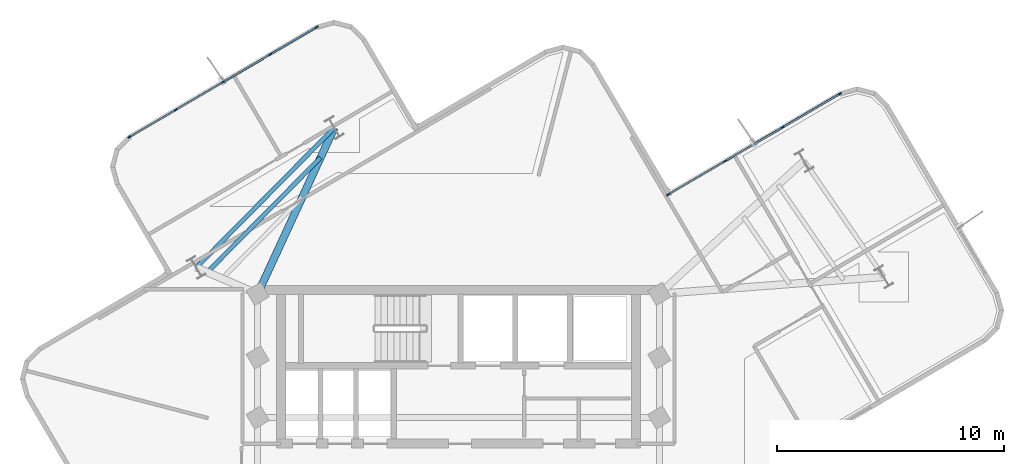
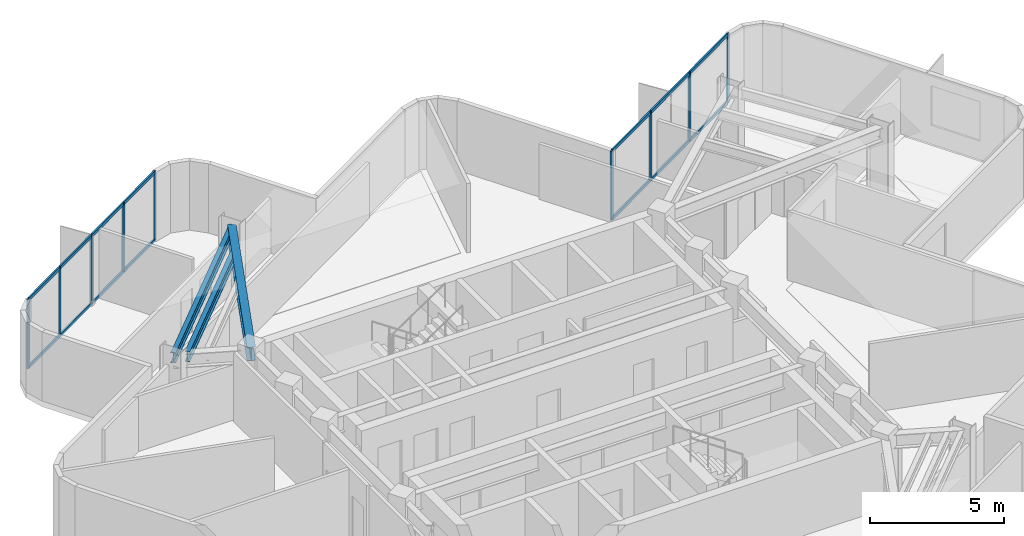
# One storey, part 2 of 8: 23 members, 3 beams, 2 elements without a shape of their own.
"""IFC4 building model written with IfcOpenShell, lengths in metres."""

from ifc_helpers import new_model, si_unit, direction, frame, origin, origin_2d, place, context, subcontext, project, spatial, rectangle, i_section, extrude, material, layer, layer_set, material_profile, profile_set, type_object, element, aggregate, save


model = new_model("IFC4")

# Units and contexts
model_context = context("Model", 3, precision=1e-05, world=origin(), true_north=direction((0.0, 1.0)))
body_context = subcontext(model_context, "Body", "Model", "MODEL_VIEW")
ifc_project = project(units=[si_unit("LENGTHUNIT", "METRE"), si_unit("AREAUNIT", "SQUARE_METRE"), si_unit("VOLUMEUNIT", "CUBIC_METRE"), si_unit("PLANEANGLEUNIT", "RADIAN"), si_unit("MASSUNIT", "GRAM", prefix="KILO")], contexts=[model_context])

# Site, building, storey
site_placement = place(None, origin())
site = spatial("IfcSite", under=ifc_project, at=site_placement, CompositionType="ELEMENT")
building_placement = place(site_placement, origin())
building = spatial("IfcBuilding", under=site, at=building_placement, Name="Solmarez Civic Tower", CompositionType="ELEMENT")
storey_placement = place(building_placement, frame((0.0, 0.0, 212.0400390625)))
storey = spatial("IfcBuildingStorey", under=building, at=storey_placement, Name="L56", CompositionType="ELEMENT", Elevation=212.0400390625)

# Beams
ifc_material_1 = material(Name="Steel S355", Category="steel")
ifc_material_profile_1 = material_profile(ifc_material_1, i_section(OverallWidth=0.19189453125, OverallDepth=0.462890625, WebThickness=0.010498046875, FlangeThickness=0.017578125, at=origin_2d()), Name="W18X60")
ifc_profile_set_1 = profile_set([ifc_material_profile_1], Name="Steel S355")
beam_type_1 = type_object("IfcBeamType", Name="BM-JS-W18X60", PredefinedType="JOIST", material=ifc_profile_set_1)
beam_1_placement = place(storey_placement, frame((-5.468017578125, 15.6708984375, 2.927978515625), z_axis=(-0.702766092364, -0.711420986072, 0.0), x_axis=(0.711420986072, -0.702766092364, 0.0)))
element("IfcBeam", 1, at=beam_1_placement, inside=storey, type_object=beam_type_1, Name="L56 Secondary Floor Joist BM-L56-NA-T1", PredefinedType="JOIST", context=body_context, shape_type="SweptSolid", body=[
    extrude(i_section(OverallWidth=0.19189453125, OverallDepth=0.462890625, WebThickness=0.010498046875, FlangeThickness=0.017578125, at=origin_2d()), origin(), (0.0, 0.0, 1.0), 8.659912109375),
])
beam_2_placement = place(storey_placement, frame((-6.076904296875, 14.35302734375, 2.927978515625), z_axis=(-0.702726827997, -0.711459770622, 0.0), x_axis=(0.711459770622, -0.702726827997, 0.0)))
element("IfcBeam", 2, at=beam_2_placement, inside=storey, type_object=beam_type_1, Name="L56 Secondary Floor Joist JS-L56-NA-M12", PredefinedType="JOIST", context=body_context, shape_type="SweptSolid", body=[
    extrude(i_section(OverallWidth=0.19189453125, OverallDepth=0.462890625, WebThickness=0.010498046875, FlangeThickness=0.017578125, at=origin_2d()), origin(), (0.0, 0.0, 1.0), 7.100830078125),
])
ifc_material_profile_2 = material_profile(ifc_material_1, i_section(OverallWidth=0.327880859375, OverallDepth=0.6220703125, WebThickness=0.015380859375, FlangeThickness=0.0244140625, at=origin_2d()), Name="W24X131")
ifc_profile_set_2 = profile_set([ifc_material_profile_2], Name="Steel S355")
beam_type_2 = type_object("IfcBeamType", Name="BM-PR-W24X131", PredefinedType="BEAM", material=ifc_profile_set_2)
beam_3_placement = place(storey_placement, frame((-8.85009765625, 8.35009765625, 2.848876953125), z_axis=(0.419390280967, 0.907806032273, 0.0), x_axis=(-0.907806032273, 0.419390280967, 0.0)))
element("IfcBeam", 3, at=beam_3_placement, inside=storey, type_object=beam_type_2, Name="L56 Primary Floor Beam BM-L56-NA-R1A", PredefinedType="BEAM", context=body_context, shape_type="SweptSolid", body=[
    extrude(i_section(OverallWidth=0.327880859375, OverallDepth=0.6220703125, WebThickness=0.015380859375, FlangeThickness=0.0244140625, at=origin_2d()), origin(), (0.0, 0.0, 1.0), 8.064208984375),
])

# Curtain wall, members
ifc_material_2 = material(Name="Bronze Anodised Aluminium EN AW-6063 T6", Category="aluminium")
ifc_layer = layer(ifc_material_2, 0.1650390625)
ifc_layer_set = layer_set([ifc_layer], Name="Bronze Anodised Aluminium EN AW-6063 T6")
curtain_wall_type = type_object("IfcCurtainWallType", Name="CW-SYS-4", PredefinedType="NOTDEFINED", material=ifc_layer_set)
curtain_wall_1_placement = place(storey_placement, origin())
curtain_wall_1 = element("IfcCurtainWall", 4, at=curtain_wall_1_placement, inside=storey, type_object=curtain_wall_type, Name="L56 Stick-Built Curtain Wall 1", PredefinedType="NOTDEFINED")
ifc_material_profile_3 = material_profile(ifc_material_2, rectangle(XDim=0.06005859375, YDim=0.14990234375, at=origin_2d()), Name="CWM-60X150")
ifc_profile_set_3 = profile_set([ifc_material_profile_3], Name="Bronze Anodised Aluminium EN AW-6063 T6")
member_type_1 = type_object("IfcMemberType", Name="CWM-TYPE-4", PredefinedType="MULLION", material=ifc_profile_set_3)
member_1_placement = place(storey_placement, frame((-14.498046875, 15.26123046875, 0.0), z_axis=(0.0, 0.0, 1.0), x_axis=(-0.506098089236, 0.862475926662, 0.0)))
member_1 = element("IfcMember", 5, at=member_1_placement, type_object=member_type_1, Name="CWS4 mullion 1", PredefinedType="MULLION", context=body_context, shape_type="SweptSolid", body=[
    extrude(rectangle(XDim=0.06005859375, YDim=0.14990234375, at=origin_2d()), origin(), (0.0, 0.0, 1.0), 3.159912109375),
])
member_2_placement = place(storey_placement, frame((-12.44873046875, 16.4638671875, 0.0), z_axis=(0.0, 0.0, 1.0), x_axis=(-0.506098089236, 0.862475926662, 0.0)))
member_2 = element("IfcMember", 6, at=member_2_placement, type_object=member_type_1, Name="CWS4 mullion 2", PredefinedType="MULLION", context=body_context, shape_type="SweptSolid", body=[
    extrude(rectangle(XDim=0.06005859375, YDim=0.14990234375, at=origin_2d()), origin(), (0.0, 0.0, 1.0), 3.159912109375),
])
member_3_placement = place(storey_placement, frame((-10.37353515625, 17.681396484375, 0.0), z_axis=(0.0, 0.0, 1.0), x_axis=(-0.506098089236, 0.862475926662, 0.0)))
member_3 = element("IfcMember", 7, at=member_3_placement, type_object=member_type_1, Name="CWS4 mullion 3", PredefinedType="MULLION", context=body_context, shape_type="SweptSolid", body=[
    extrude(rectangle(XDim=0.06005859375, YDim=0.14990234375, at=origin_2d()), origin(), (0.0, 0.0, 1.0), 3.159912109375),
])
member_4_placement = place(storey_placement, frame((-8.29833984375, 18.899169921875, 0.0), z_axis=(0.0, 0.0, 1.0), x_axis=(-0.506098089236, 0.862475926662, 0.0)))
member_4 = element("IfcMember", 8, at=member_4_placement, type_object=member_type_1, Name="CWS4 mullion 4", PredefinedType="MULLION", context=body_context, shape_type="SweptSolid", body=[
    extrude(rectangle(XDim=0.06005859375, YDim=0.14990234375, at=origin_2d()), origin(), (0.0, 0.0, 1.0), 3.159912109375),
])
member_5_placement = place(storey_placement, frame((-6.248779296875, 20.101806640625, 0.0), z_axis=(0.0, 0.0, 1.0), x_axis=(-0.506098089236, 0.862475926662, 0.0)))
member_5 = element("IfcMember", 9, at=member_5_placement, type_object=member_type_1, Name="CWS4 mullion 5", PredefinedType="MULLION", context=body_context, shape_type="SweptSolid", body=[
    extrude(rectangle(XDim=0.06005859375, YDim=0.14990234375, at=origin_2d()), origin(), (0.0, 0.0, 1.0), 3.159912109375),
])

curtain_wall_2_placement = place(storey_placement, origin())
curtain_wall_2 = element("IfcCurtainWall", 10, at=curtain_wall_2_placement, inside=storey, type_object=curtain_wall_type, Name="L56 Stick-Built Curtain Wall 2", PredefinedType="NOTDEFINED")
member_6_placement = place(storey_placement, frame((9.23193359375, 12.72216796875, 0.0), z_axis=(0.0, 0.0, 1.0), x_axis=(-0.50588783611, 0.862599268071, 0.0)))
member_6 = element("IfcMember", 11, at=member_6_placement, type_object=member_type_1, Name="CWS4 mullion 1", PredefinedType="MULLION", context=body_context, shape_type="SweptSolid", body=[
    extrude(rectangle(XDim=0.06005859375, YDim=0.14990234375, at=origin_2d()), origin(), (0.0, 0.0, 1.0), 3.159912109375),
])
member_7_placement = place(storey_placement, frame((11.748291015625, 14.197998046875, 0.0), z_axis=(0.0, 0.0, 1.0), x_axis=(-0.50588783611, 0.862599268071, 0.0)))
member_7 = element("IfcMember", 12, at=member_7_placement, type_object=member_type_1, Name="CWS4 mullion 2", PredefinedType="MULLION", context=body_context, shape_type="SweptSolid", body=[
    extrude(rectangle(XDim=0.06005859375, YDim=0.14990234375, at=origin_2d()), origin(), (0.0, 0.0, 1.0), 3.159912109375),
])
member_8_placement = place(storey_placement, frame((14.290771484375, 15.68896484375, 0.0), z_axis=(0.0, 0.0, 1.0), x_axis=(-0.50588783611, 0.862599268071, 0.0)))
member_8 = element("IfcMember", 13, at=member_8_placement, type_object=member_type_1, Name="CWS4 mullion 3", PredefinedType="MULLION", context=body_context, shape_type="SweptSolid", body=[
    extrude(rectangle(XDim=0.06005859375, YDim=0.14990234375, at=origin_2d()), origin(), (0.0, 0.0, 1.0), 3.159912109375),
])
member_9_placement = place(storey_placement, frame((16.80712890625, 17.164794921875, 0.0), z_axis=(0.0, 0.0, 1.0), x_axis=(-0.50588783611, 0.862599268071, 0.0)))
member_9 = element("IfcMember", 14, at=member_9_placement, type_object=member_type_1, Name="CWS4 mullion 4", PredefinedType="MULLION", context=body_context, shape_type="SweptSolid", body=[
    extrude(rectangle(XDim=0.06005859375, YDim=0.14990234375, at=origin_2d()), origin(), (0.0, 0.0, 1.0), 3.159912109375),
])

# Member
ifc_material_profile_4 = material_profile(ifc_material_2, rectangle(XDim=0.070068359375, YDim=0.139892578125, at=origin_2d()), Name="CWT-70X140")
ifc_profile_set_4 = profile_set([ifc_material_profile_4], Name="Bronze Anodised Aluminium EN AW-6063 T6")
member_type_2 = type_object("IfcMemberType", Name="CWT-TYPE-1", PredefinedType="USERDEFINED", material=ifc_profile_set_4)
member_10_placement = place(storey_placement, frame((-14.47216796875, 15.2763671875, 0.034912109375), z_axis=(0.862483803121, 0.506084666192, 0.0), x_axis=(-0.506084666192, 0.862483803121, 0.0)))
member_10 = element("IfcMember", 15, at=member_10_placement, type_object=member_type_2, Name="CWS4 transom 1.1", ObjectType="TRANSOM", PredefinedType="USERDEFINED", context=body_context, shape_type="SweptSolid", body=[
    extrude(rectangle(XDim=0.070068359375, YDim=0.139892578125, at=origin_2d()), origin(), (0.0, 0.0, 1.0), 2.316162109375),
])

member_11_placement = place(storey_placement, frame((-14.47216796875, 15.2763671875, 3.125), z_axis=(0.862483803121, 0.506084666192, 0.0), x_axis=(-0.506084666192, 0.862483803121, 0.0)))
member_11 = element("IfcMember", 16, at=member_11_placement, type_object=member_type_2, Name="CWS4 transom 1.2", ObjectType="TRANSOM", PredefinedType="USERDEFINED", context=body_context, shape_type="SweptSolid", body=[
    extrude(rectangle(XDim=0.070068359375, YDim=0.139892578125, at=origin_2d()), origin(), (0.0, 0.0, 1.0), 2.316162109375),
])

member_12_placement = place(storey_placement, frame((-12.4228515625, 16.47900390625, 0.034912109375), z_axis=(0.862492807725, 0.506069319977, 0.0), x_axis=(-0.506069319977, 0.862492807725, 0.0)))
member_12 = element("IfcMember", 17, at=member_12_placement, type_object=member_type_2, Name="CWS4 transom 2.1", ObjectType="TRANSOM", PredefinedType="USERDEFINED", context=body_context, shape_type="SweptSolid", body=[
    extrude(rectangle(XDim=0.070068359375, YDim=0.139892578125, at=origin_2d()), origin(), (0.0, 0.0, 1.0), 2.345947265625),
])

member_13_placement = place(storey_placement, frame((-12.4228515625, 16.47900390625, 3.125), z_axis=(0.862492807725, 0.506069319977, 0.0), x_axis=(-0.506069319977, 0.862492807725, 0.0)))
member_13 = element("IfcMember", 18, at=member_13_placement, type_object=member_type_2, Name="CWS4 transom 2.2", ObjectType="TRANSOM", PredefinedType="USERDEFINED", context=body_context, shape_type="SweptSolid", body=[
    extrude(rectangle(XDim=0.070068359375, YDim=0.139892578125, at=origin_2d()), origin(), (0.0, 0.0, 1.0), 2.345947265625),
])

member_14_placement = place(storey_placement, frame((-10.34765625, 17.69677734375, 0.034912109375), z_axis=(0.862492807725, 0.506069319977, 0.0), x_axis=(-0.506069319977, 0.862492807725, 0.0)))
member_14 = element("IfcMember", 19, at=member_14_placement, type_object=member_type_2, Name="CWS4 transom 3.1", ObjectType="TRANSOM", PredefinedType="USERDEFINED", context=body_context, shape_type="SweptSolid", body=[
    extrude(rectangle(XDim=0.070068359375, YDim=0.139892578125, at=origin_2d()), origin(), (0.0, 0.0, 1.0), 2.345947265625),
])

member_15_placement = place(storey_placement, frame((-10.34765625, 17.69677734375, 3.125), z_axis=(0.862492807725, 0.506069319977, 0.0), x_axis=(-0.506069319977, 0.862492807725, 0.0)))
member_15 = element("IfcMember", 20, at=member_15_placement, type_object=member_type_2, Name="CWS4 transom 3.2", ObjectType="TRANSOM", PredefinedType="USERDEFINED", context=body_context, shape_type="SweptSolid", body=[
    extrude(rectangle(XDim=0.070068359375, YDim=0.139892578125, at=origin_2d()), origin(), (0.0, 0.0, 1.0), 2.345947265625),
])

member_16_placement = place(storey_placement, frame((-8.2724609375, 18.91455078125, 0.034912109375), z_axis=(0.862510797827, 0.506038658239, 0.0), x_axis=(-0.506038658239, 0.862510797827, 0.0)))
member_16 = element("IfcMember", 21, at=member_16_placement, type_object=member_type_2, Name="CWS4 transom 4.1", ObjectType="TRANSOM", PredefinedType="USERDEFINED", context=body_context, shape_type="SweptSolid", body=[
    extrude(rectangle(XDim=0.070068359375, YDim=0.139892578125, at=origin_2d()), origin(), (0.0, 0.0, 1.0), 2.316162109375),
])

member_17_placement = place(storey_placement, frame((-8.2724609375, 18.91455078125, 3.125), z_axis=(0.862510797827, 0.506038658239, 0.0), x_axis=(-0.506038658239, 0.862510797827, 0.0)))
member_17 = element("IfcMember", 22, at=member_17_placement, type_object=member_type_2, Name="CWS4 transom 4.2", ObjectType="TRANSOM", PredefinedType="USERDEFINED", context=body_context, shape_type="SweptSolid", body=[
    extrude(rectangle(XDim=0.070068359375, YDim=0.139892578125, at=origin_2d()), origin(), (0.0, 0.0, 1.0), 2.316162109375),
])

aggregate(curtain_wall_1, [member_1, member_2, member_3, member_4, member_5, member_10, member_11, member_12, member_13, member_14, member_15, member_16, member_17])

member_18_placement = place(storey_placement, frame((9.2578125, 12.7373046875, 0.034912109375), z_axis=(0.862577111253, 0.505925614238, 0.0), x_axis=(-0.505925614238, 0.862577111253, 0.0)))
member_18 = element("IfcMember", 23, at=member_18_placement, type_object=member_type_2, Name="CWS4 transom 1.1", ObjectType="TRANSOM", PredefinedType="USERDEFINED", context=body_context, shape_type="SweptSolid", body=[
    extrude(rectangle(XDim=0.070068359375, YDim=0.139892578125, at=origin_2d()), origin(), (0.0, 0.0, 1.0), 2.857177734375),
])

member_19_placement = place(storey_placement, frame((9.2578125, 12.7373046875, 3.125), z_axis=(0.862577111253, 0.505925614238, 0.0), x_axis=(-0.505925614238, 0.862577111253, 0.0)))
member_19 = element("IfcMember", 24, at=member_19_placement, type_object=member_type_2, Name="CWS4 transom 1.2", ObjectType="TRANSOM", PredefinedType="USERDEFINED", context=body_context, shape_type="SweptSolid", body=[
    extrude(rectangle(XDim=0.070068359375, YDim=0.139892578125, at=origin_2d()), origin(), (0.0, 0.0, 1.0), 2.857177734375),
])

member_20_placement = place(storey_placement, frame((11.774169921875, 14.213134765625, 0.034912109375), z_axis=(0.862605097402, 0.505877896271, 0.0), x_axis=(-0.505877896271, 0.862605097402, 0.0)))
member_20 = element("IfcMember", 25, at=member_20_placement, type_object=member_type_2, Name="CWS4 transom 2.1", ObjectType="TRANSOM", PredefinedType="USERDEFINED", context=body_context, shape_type="SweptSolid", body=[
    extrude(rectangle(XDim=0.070068359375, YDim=0.139892578125, at=origin_2d()), origin(), (0.0, 0.0, 1.0), 2.887451171875),
])

member_21_placement = place(storey_placement, frame((11.774169921875, 14.213134765625, 3.125), z_axis=(0.862605097402, 0.505877896271, 0.0), x_axis=(-0.505877896271, 0.862605097402, 0.0)))
member_21 = element("IfcMember", 26, at=member_21_placement, type_object=member_type_2, Name="CWS4 transom 2.2", ObjectType="TRANSOM", PredefinedType="USERDEFINED", context=body_context, shape_type="SweptSolid", body=[
    extrude(rectangle(XDim=0.070068359375, YDim=0.139892578125, at=origin_2d()), origin(), (0.0, 0.0, 1.0), 2.887451171875),
])

member_22_placement = place(storey_placement, frame((14.316650390625, 15.7041015625, 0.034912109375), z_axis=(0.862577111253, 0.505925614238, 0.0), x_axis=(-0.505925614238, 0.862577111253, 0.0)))
member_22 = element("IfcMember", 27, at=member_22_placement, type_object=member_type_2, Name="CWS4 transom 3.1", ObjectType="TRANSOM", PredefinedType="USERDEFINED", context=body_context, shape_type="SweptSolid", body=[
    extrude(rectangle(XDim=0.070068359375, YDim=0.139892578125, at=origin_2d()), origin(), (0.0, 0.0, 1.0), 2.857177734375),
])

member_23_placement = place(storey_placement, frame((14.316650390625, 15.7041015625, 3.125), z_axis=(0.862577111253, 0.505925614238, 0.0), x_axis=(-0.505925614238, 0.862577111253, 0.0)))
member_23 = element("IfcMember", 28, at=member_23_placement, type_object=member_type_2, Name="CWS4 transom 3.2", ObjectType="TRANSOM", PredefinedType="USERDEFINED", context=body_context, shape_type="SweptSolid", body=[
    extrude(rectangle(XDim=0.070068359375, YDim=0.139892578125, at=origin_2d()), origin(), (0.0, 0.0, 1.0), 2.857177734375),
])

aggregate(curtain_wall_2, [member_6, member_7, member_8, member_9, member_18, member_19, member_20, member_21, member_22, member_23])

save(model, "model.ifc")
